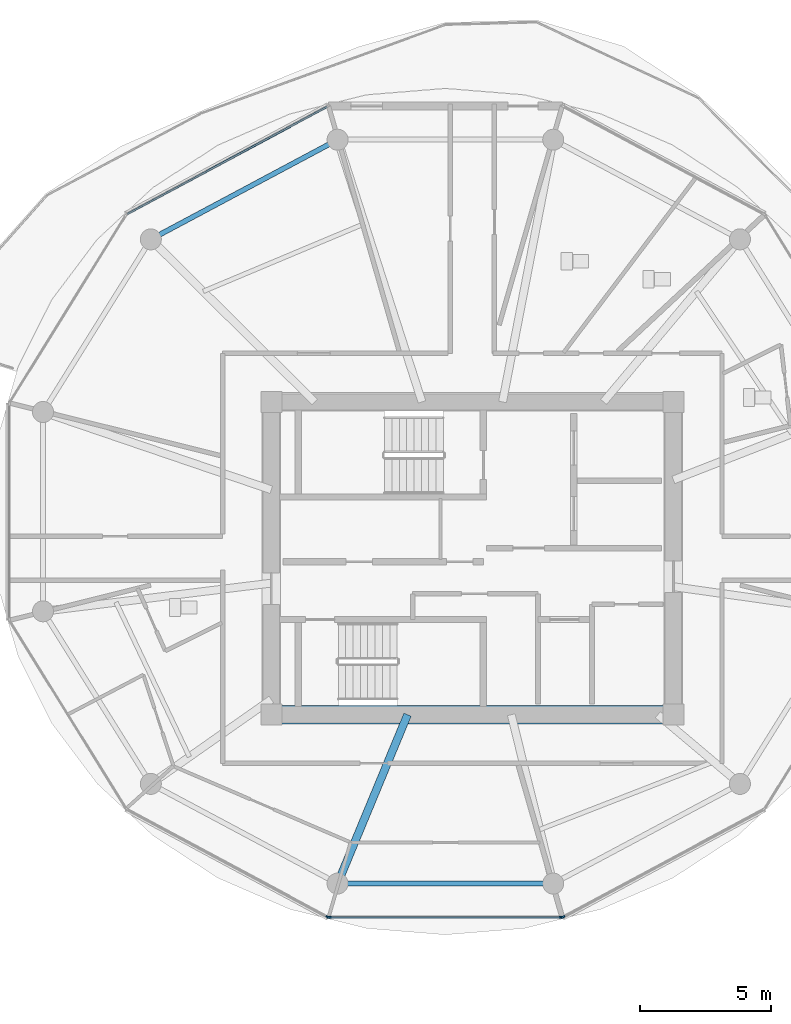
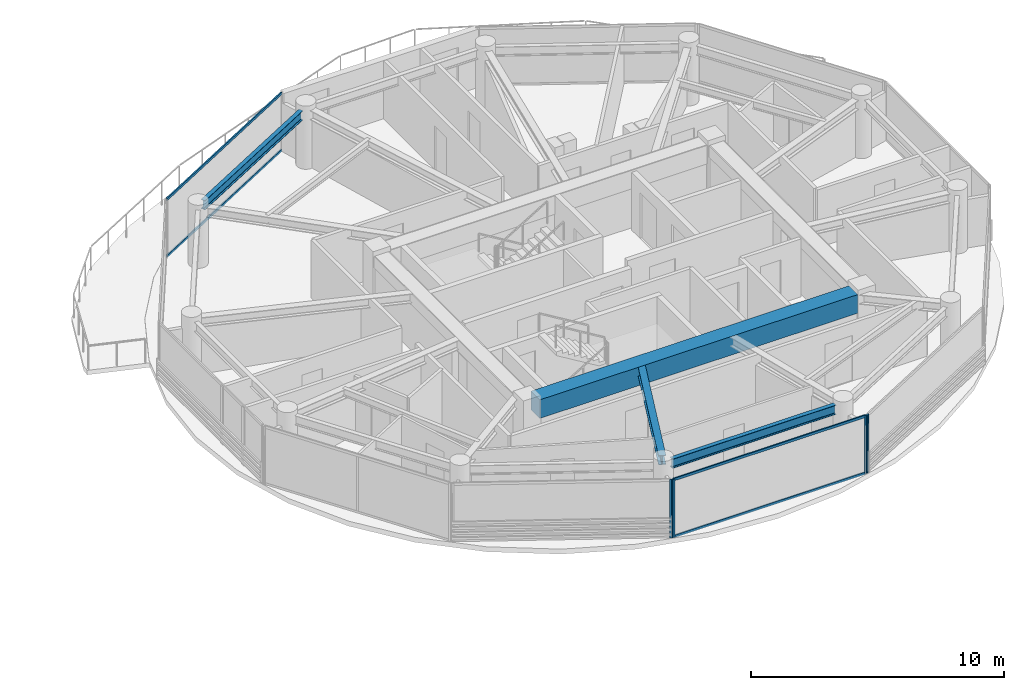
# One storey, part 8 of 23: 8 members, 4 beams, 4 elements without a shape of their own.
"""IFC4 building model written with IfcOpenShell, lengths in metres."""

import ifcopenshell
import ifcopenshell.guid

model = None  # the IFC model being written
_history = None  # IfcOwnerHistory: only IFC2X3 demands one
_inside = {}  # id of a spatial element -> (the spatial element, [elements in it])
_under = {}  # id of a project, library or spatial element -> (it, [spatial elements below it])
_declared = {}  # id of a project -> (the project, [libraries it declares])
_typed = {}  # id of a type object -> (the type object, [elements of that type])
_made_of = {}  # id of a material, layer set ... -> (it, [elements and type objects made of it])


def new_model(schema):
    """Start an empty IFC model of exactly this schema.

    Asked for "IFC4X3", IfcOpenShell would pick the latest addendum, in which some entities
    have other attributes; the version numbers below select the first issue.
    IFC2X3 requires an IfcOwnerHistory on every rooted entity: one is made here for all.
    """
    global model, _history
    if schema == "IFC4X3":
        model = ifcopenshell.file(schema_version=(4, 3, 0, 0))
    else:
        model = ifcopenshell.file(schema=schema)
    _inside.clear()
    _under.clear()
    _declared.clear()
    _typed.clear()
    _made_of.clear()
    _history = None
    if model.schema == "IFC2X3":
        org = make("IfcOrganization", Name="unknown")
        user = make(
            "IfcPersonAndOrganization",
            ThePerson=make("IfcPerson", FamilyName="unknown"),
            TheOrganization=org,
        )
        app = make(
            "IfcApplication",
            ApplicationDeveloper=org,
            Version="unknown",
            ApplicationFullName="unknown",
            ApplicationIdentifier="unknown",
        )
        _history = make(
            "IfcOwnerHistory",
            OwningUser=user,
            OwningApplication=app,
            ChangeAction="ADDED",
            CreationDate=0,
        )
    return model


def make(cls, **values):
    """One entity of the class cls with the attributes given. An attribute that is None is left unset."""
    return model.create_entity(
        cls, **{name: value for name, value in values.items() if value is not None}
    )


def rooted(cls, **values):
    """An entity with a GlobalId (a new one), such as an element, a storey or a relation."""
    return make(cls, GlobalId=ifcopenshell.guid.new(), OwnerHistory=_history, **values)


def si_unit(unit_type, name, prefix=None):
    """IfcSIUnit, for example si_unit("LENGTHUNIT", "METRE", prefix="MILLI")."""
    return make("IfcSIUnit", UnitType=unit_type, Prefix=prefix, Name=name)


def assignment(units):
    """IfcUnitAssignment: the units of a project."""
    return None if units is None else make("IfcUnitAssignment", Units=units)


def point(xyz):
    """IfcCartesianPoint."""
    return None if xyz is None else make("IfcCartesianPoint", Coordinates=xyz)


def direction(xyz):
    """IfcDirection."""
    return None if xyz is None else make("IfcDirection", DirectionRatios=xyz)


def frame(location, z_axis=None, x_axis=None):
    """IfcAxis2Placement3D, a coordinate frame: its origin and axes. An axis left out is left unset."""
    return make(
        "IfcAxis2Placement3D",
        Location=point(location),
        Axis=direction(z_axis),
        RefDirection=direction(x_axis),
    )


def frame_2d(location, x_axis=None):
    """IfcAxis2Placement2D, a coordinate frame in the plane: its origin and x axis."""
    return make(
        "IfcAxis2Placement2D", Location=point(location), RefDirection=direction(x_axis)
    )


def origin():
    """The frame at (0, 0, 0) with its axes left unset."""
    return frame((0.0, 0.0, 0.0))


def origin_2d():
    """The frame at (0, 0) in the plane with its x axis left unset."""
    return frame_2d((0.0, 0.0))


def place(relative_to, where):
    """IfcLocalPlacement: puts the frame where relative to a parent placement (None: the world)."""
    return make(
        "IfcLocalPlacement", PlacementRelTo=relative_to, RelativePlacement=where
    )


def context(
    kind, dimensions, precision=None, world=None, true_north=None, identifier=None
):
    """IfcGeometricRepresentationContext, for example the 3D "Model" context."""
    return make(
        "IfcGeometricRepresentationContext",
        ContextIdentifier=identifier,
        ContextType=kind,
        CoordinateSpaceDimension=dimensions,
        Precision=precision,
        WorldCoordinateSystem=world,
        TrueNorth=true_north,
    )


def subcontext(parent, identifier, kind, view, scale=None):
    """IfcGeometricRepresentationSubContext, for example "Body" below "Model"."""
    return make(
        "IfcGeometricRepresentationSubContext",
        ContextIdentifier=identifier,
        ContextType=kind,
        ParentContext=parent,
        TargetScale=scale,
        TargetView=view,
    )


def project(units=None, contexts=None):
    """IfcProject with its units and contexts."""
    return rooted(
        "IfcProject",
        Name="project",
        RepresentationContexts=contexts,
        UnitsInContext=assignment(units),
    )


def spatial(cls, under=None, at=None, **own):
    """A site, building, storey or space (cls), placed at a placement, below another one or the project."""
    s = rooted(cls, ObjectPlacement=at, **own)
    if under is not None:
        _under.setdefault(under.id(), (under, []))[1].append(s)
    return s


def profile(cls, at=None, kind="AREA", **sizes):
    """A parametric profile (cls). Its sizes go by their IFC names, for example OverallWidth=200.0."""
    return make(cls, ProfileType=kind, Position=at, **sizes)


def rectangle(**sizes):
    """IfcRectangleProfileDef."""
    return profile("IfcRectangleProfileDef", **sizes)


def i_section(**sizes):
    """IfcIShapeProfileDef."""
    return profile("IfcIShapeProfileDef", **sizes)


def extrude(swept, where, along, depth):
    """IfcExtrudedAreaSolid: the profile swept, set in the frame where, extruded along a direction by depth."""
    return make(
        "IfcExtrudedAreaSolid",
        SweptArea=swept,
        Position=where,
        ExtrudedDirection=direction(along),
        Depth=depth,
    )


def shape(context_of_items, identifier, shape_type, items):
    """IfcShapeRepresentation: the items that make up one representation, for example the "Body"."""
    return make(
        "IfcShapeRepresentation",
        ContextOfItems=context_of_items,
        RepresentationIdentifier=identifier,
        RepresentationType=shape_type,
        Items=items,
    )


def source(mapping_origin, context_of_items, identifier, shape_type, items):
    """IfcRepresentationMap: a shape defined once, which mapped items show again and again."""
    return make(
        "IfcRepresentationMap",
        MappingOrigin=mapping_origin,
        MappedRepresentation=shape(context_of_items, identifier, shape_type, items),
    )


def transform(
    local_origin,
    x_axis=None,
    y_axis=None,
    z_axis=None,
    scale=None,
    scale2=None,
    scale3=None,
    uniform=True,
):
    """IfcCartesianTransformationOperator3D, or its non-uniform kind. x_axis, y_axis, z_axis: its Axis1, 2, 3."""
    if uniform:
        return make(
            "IfcCartesianTransformationOperator3D",
            Axis1=direction(x_axis),
            Axis2=direction(y_axis),
            LocalOrigin=point(local_origin),
            Scale=scale,
            Axis3=direction(z_axis),
        )
    return make(
        "IfcCartesianTransformationOperator3DnonUniform",
        Axis1=direction(x_axis),
        Axis2=direction(y_axis),
        LocalOrigin=point(local_origin),
        Scale=scale,
        Axis3=direction(z_axis),
        Scale2=scale2,
        Scale3=scale3,
    )


def mapped(mapping_source, mapping_target):
    """IfcMappedItem: shows the shape of a source again, moved by a transform."""
    return make(
        "IfcMappedItem", MappingSource=mapping_source, MappingTarget=mapping_target
    )


def material(Name=None, Category=None):
    """IfcMaterial."""
    return make("IfcMaterial", Name=Name, Category=Category)


def layer(
    of_material, thickness, ventilated=None, Name=None, Category=None, Priority=None
):
    """IfcMaterialLayer: one layer of a wall or slab, of a material (None: an air gap)."""
    return make(
        "IfcMaterialLayer",
        Material=of_material,
        LayerThickness=thickness,
        IsVentilated=ventilated,
        Name=Name,
        Category=Category,
        Priority=Priority,
    )


def layer_set(layers, Name=None):
    """IfcMaterialLayerSet."""
    return make("IfcMaterialLayerSet", MaterialLayers=layers, LayerSetName=Name)


def material_profile(
    of_material, cross_section, Name=None, Category=None, Priority=None
):
    """IfcMaterialProfile: a cross section and its material."""
    return make(
        "IfcMaterialProfile",
        Name=Name,
        Material=of_material,
        Profile=cross_section,
        Priority=Priority,
        Category=Category,
    )


def profile_set(profiles, Name=None, composite=None):
    """IfcMaterialProfileSet."""
    return make(
        "IfcMaterialProfileSet",
        Name=Name,
        MaterialProfiles=profiles,
        CompositeProfile=composite,
    )


def made_of(thing, what):
    """Note that an element or type object is made of a material, layer set ...; save() writes the relation."""
    if what is not None:
        _made_of.setdefault(what.id(), (what, []))[1].append(thing)
    return thing


def type_object(cls, material=None, **own):
    """A type object (cls), such as IfcWallType, which elements share."""
    return made_of(rooted(cls, **own), material)


def type_shapes(of_type, sources):
    """Give a type object the sources (RepresentationMaps) that its elements show as mapped items."""
    of_type.RepresentationMaps = sources


def element(
    cls,
    number,
    at=None,
    inside=None,
    cuts=None,
    type_object=None,
    material=None,
    context=None,
    identifier="Body",
    shape_type=None,
    held_by="IfcProductDefinitionShape",
    body=None,
    shapes=None,
    **own,
):
    """One element of the class cls, such as IfcWall. Its Tag is "e" and its number.

    at: its placement. inside: the storey or other place that contains it. cuts: it is an
    opening in that element (IfcRelVoidsElement). A single representation is given by context,
    identifier, shape_type and body (its items); several are given by shapes. held_by: the class
    of the entity that holds the representations. save() writes the other relations.
    """
    e = rooted(cls, Tag="e%d" % number, ObjectPlacement=at, **own)
    if body is not None:
        shapes = [shape(context, identifier, shape_type, body)]
    if shapes is not None:
        e.Representation = make(held_by, Representations=shapes)
    if inside is not None:
        _inside.setdefault(inside.id(), (inside, []))[1].append(e)
    if cuts is not None:
        rooted(
            "IfcRelVoidsElement", RelatingBuildingElement=cuts, RelatedOpeningElement=e
        )
    if type_object is not None:
        _typed.setdefault(type_object.id(), (type_object, []))[1].append(e)
    return made_of(e, material)


def aggregate(whole, parts):
    """IfcRelAggregates: a whole, such as a stair, and the parts it consists of."""
    return rooted("IfcRelAggregates", RelatingObject=whole, RelatedObjects=parts)


def save(model, path):
    """Write the relations noted so far, then the file.

    IfcRelAggregates (storeys below a building ...), IfcRelContainedInSpatialStructure (elements
    in a storey), IfcRelDefinesByType, IfcRelAssociatesMaterial and IfcRelDeclares: one each for
    every whole, place, type object, material and project.
    """
    for whole, parts in _under.values():
        aggregate(whole, parts)
    for where, things in _inside.values():
        rooted(
            "IfcRelContainedInSpatialStructure",
            RelatedElements=things,
            RelatingStructure=where,
        )
    for kind, things in _typed.values():
        rooted("IfcRelDefinesByType", RelatedObjects=things, RelatingType=kind)
    for what, things in _made_of.values():
        rooted("IfcRelAssociatesMaterial", RelatedObjects=things, RelatingMaterial=what)
    for by, libraries in _declared.values():
        rooted("IfcRelDeclares", RelatingContext=by, RelatedDefinitions=libraries)
    model.write(path)


model = new_model("IFC4")

# Units and contexts
model_context = context("Model", 3, precision=1e-05, world=origin(), true_north=direction((0.0, 1.0)))
body_context = subcontext(model_context, "Body", "Model", "MODEL_VIEW")
ifc_project = project(units=[si_unit("LENGTHUNIT", "METRE"), si_unit("AREAUNIT", "SQUARE_METRE"), si_unit("VOLUMEUNIT", "CUBIC_METRE"), si_unit("PLANEANGLEUNIT", "RADIAN"), si_unit("MASSUNIT", "GRAM", prefix="KILO")], contexts=[model_context])

# Site, building, storey
site_placement = place(None, origin())
site = spatial("IfcSite", under=ifc_project, at=site_placement, CompositionType="ELEMENT")
building_placement = place(site_placement, origin())
building = spatial("IfcBuilding", under=site, at=building_placement, Name="Norrkilde Senior Care Towers", CompositionType="ELEMENT")
storey_placement = place(building_placement, frame((0.0, 0.0, 177.0)))
storey = spatial("IfcBuildingStorey", under=building, at=storey_placement, Name="L55", CompositionType="ELEMENT", Elevation=177.0)

# Beams
ifc_material_1 = material(Name="Concrete C60/75", Category="concrete")
ifc_material_profile_1 = material_profile(ifc_material_1, rectangle(XDim=0.699951171875, YDim=0.89990234375, at=origin_2d()), Name="RC BM 700x900")
ifc_profile_set_1 = profile_set([ifc_material_profile_1], Name="Concrete C60/75")
beam_type_1 = type_object("IfcBeamType", Name="Core Coupling Girder 700x900", PredefinedType="USERDEFINED", material=ifc_profile_set_1)
shared_shape_1 = source(origin(), body_context, "Body", "SweptSolid", [
    extrude(rectangle(XDim=0.699951171875, YDim=0.89990234375, at=origin_2d()), origin(), (0.0, 0.0, 1.0), 14.5400390625),
])
type_shapes(beam_type_1, [shared_shape_1])
beam_1_placement = place(storey_placement, frame((20.72998046875, -5.949951171875, 2.360107421875), z_axis=(1.0, 0.0, 0.0), x_axis=(0.0, 1.0, 0.0)))
element("IfcBeam", 1, at=beam_1_placement, inside=storey, type_object=beam_type_1, Name="L55 Core E S Coupling Girder", ObjectType="GIRDER", PredefinedType="USERDEFINED", context=body_context, shape_type="MappedRepresentation", body=[
    mapped(shared_shape_1, transform((0.0, 0.0, 0.0), x_axis=(1.0, 0.0, 0.0), y_axis=(0.0, 1.0, 0.0), z_axis=(0.0, 0.0, 1.0), scale=1.0)),
])
ifc_material_2 = material(Name="Steel S355", Category="steel")
ifc_material_profile_2 = material_profile(ifc_material_2, i_section(OverallWidth=0.18994140625, OverallDepth=0.449951171875, WebThickness=0.009521484375, FlangeThickness=0.0146484375, FilletRadius=0.02099609375, at=origin_2d()), Name="IPE 450")
ifc_profile_set_2 = profile_set([ifc_material_profile_2], Name="Steel S355")
beam_type_2 = type_object("IfcBeamType", Name="Perimeter Ring Spandrel Z3 IPE450", PredefinedType="SPANDREL", material=ifc_profile_set_2)
shared_shape_2 = source(origin(), body_context, "Body", "SweptSolid", [
    extrude(i_section(OverallWidth=0.18994140625, OverallDepth=0.449951171875, WebThickness=0.009521484375, FlangeThickness=0.0146484375, FilletRadius=0.02099609375, at=origin_2d()), origin(), (0.0, 0.0, 1.0), 7.333740234375),
])
beam_2_placement = place(storey_placement, frame((22.55517578125, 15.756591796875, 2.5849609375), z_axis=(-0.882247866069, -0.470785198172, 0.0), x_axis=(0.470785198172, -0.882247866069, 0.0)))
element("IfcBeam", 2, at=beam_2_placement, inside=storey, type_object=beam_type_2, Name="L55 Drum E Perimeter Spandrel 04", PredefinedType="SPANDREL", context=body_context, shape_type="MappedRepresentation", body=[
    mapped(shared_shape_2, transform((0.0, 0.0, 0.0), x_axis=(1.0, 0.0, 0.0), y_axis=(0.0, 1.0, 0.0), z_axis=(0.0, 0.0, 1.0), scale=1.0)),
])
shared_shape_3 = source(origin(), body_context, "Body", "SweptSolid", [
    extrude(i_section(OverallWidth=0.18994140625, OverallDepth=0.449951171875, WebThickness=0.009521484375, FlangeThickness=0.0146484375, FilletRadius=0.02099609375, at=origin_2d()), origin(), (0.0, 0.0, 1.0), 7.484619140625),
])
type_shapes(beam_type_2, [shared_shape_2, shared_shape_3])
beam_3_placement = place(storey_placement, frame((23.232666015625, -12.37548828125, 2.5849609375), z_axis=(1.0, 0.0, 0.0), x_axis=(0.0, 1.0, 0.0)))
element("IfcBeam", 3, at=beam_3_placement, inside=storey, type_object=beam_type_2, Name="L55 Drum E Perimeter Spandrel 09", PredefinedType="SPANDREL", context=body_context, shape_type="MappedRepresentation", body=[
    mapped(shared_shape_3, transform((0.0, 0.0, 0.0), x_axis=(1.0, 0.0, 0.0), y_axis=(0.0, 1.0, 0.0), z_axis=(0.0, 0.0, 1.0), scale=1.0)),
])
ifc_material_profile_3 = material_profile(ifc_material_2, i_section(OverallWidth=0.300048828125, OverallDepth=0.449951171875, WebThickness=0.013916015625, FlangeThickness=0.02587890625, FilletRadius=0.027099609375, at=origin_2d()), Name="HEB 450")
ifc_profile_set_3 = profile_set([ifc_material_profile_3], Name="Steel S355")
beam_type_3 = type_object("IfcBeamType", Name="Radial Floor Beam Z3 HEB450", PredefinedType="BEAM", material=ifc_profile_set_3)
shared_shape_4 = source(origin(), body_context, "Body", "SweptSolid", [
    extrude(i_section(OverallWidth=0.300048828125, OverallDepth=0.449951171875, WebThickness=0.013916015625, FlangeThickness=0.02587890625, FilletRadius=0.027099609375, at=origin_2d()), origin(), (0.0, 0.0, 1.0), 6.59521484375),
])
type_shapes(beam_type_3, [shared_shape_4])
beam_4_placement = place(storey_placement, frame((25.534912109375, -5.949951171875, 2.5849609375), z_axis=(-0.382761541363, -0.923847174836, 0.0), x_axis=(0.923847174836, -0.382761541363, 0.0)))
element("IfcBeam", 4, at=beam_4_placement, inside=storey, type_object=beam_type_3, Name="L55 Drum E Radial Floor Beam 09", PredefinedType="BEAM", context=body_context, shape_type="MappedRepresentation", body=[
    mapped(shared_shape_4, transform((0.0, 0.0, 0.0), x_axis=(1.0, 0.0, 0.0), y_axis=(0.0, 1.0, 0.0), z_axis=(0.0, 0.0, 1.0), scale=1.0)),
])

# Curtain wall, member
ifc_material_3 = material(Name="Triple Low-E Insulated Glazing", Category="glass")
ifc_layer = layer(ifc_material_3, 0.18994140625)
ifc_layer_set = layer_set([ifc_layer], Name="Triple Low-E Insulated Glazing")
curtain_wall_type = type_object("IfcCurtainWallType", Name="CW4 Zone 3 Senior Residence Curtain Wall", PredefinedType="NOTDEFINED", material=ifc_layer_set)
curtain_wall_1_placement = place(storey_placement, origin())
curtain_wall_1 = element("IfcCurtainWall", 5, at=curtain_wall_1_placement, inside=storey, type_object=curtain_wall_type, Name="L55 Drum E Curtain Wall 07", PredefinedType="NOTDEFINED")
ifc_material_4 = material(Name="Anodised Aluminium", Category="aluminium")
ifc_material_profile_4 = material_profile(ifc_material_4, rectangle(XDim=0.06494140625, YDim=0.14990234375, at=origin_2d()), Name="ALU MULL 65x150")
ifc_profile_set_4 = profile_set([ifc_material_profile_4], Name="Anodised Aluminium")
member_type_1 = type_object("IfcMemberType", Name="Curtain Wall Mullion Z3-Z4 65x150", PredefinedType="MULLION", material=ifc_profile_set_4)
shared_shape_5 = source(origin(), body_context, "Body", "SweptSolid", [
    extrude(rectangle(XDim=0.06494140625, YDim=0.14990234375, at=origin_2d()), origin(), (0.0, 0.0, 1.0), 2.81005859375),
])
type_shapes(member_type_1, [shared_shape_5])
member_1_placement = place(storey_placement, frame((22.499755859375, -13.644775390625, 0.0), z_axis=(0.0, 0.0, 1.0), x_axis=(-0.47311715104, -0.880999524059, 0.0)))
member_1 = element("IfcMember", 6, at=member_1_placement, type_object=member_type_1, Name="CW-4 mullion 1", PredefinedType="MULLION", context=body_context, shape_type="MappedRepresentation", body=[
    mapped(shared_shape_5, transform((0.0, 0.0, 0.0), x_axis=(1.0, 0.0, 0.0), y_axis=(0.0, 1.0, 0.0), z_axis=(0.0, 0.0, 1.0), scale=1.0)),
])
aggregate(curtain_wall_1, [member_1])

# Curtain wall, members
curtain_wall_2_placement = place(storey_placement, origin())
curtain_wall_2 = element("IfcCurtainWall", 7, at=curtain_wall_2_placement, inside=storey, type_object=curtain_wall_type, Name="L55 Drum E Curtain Wall 08", PredefinedType="NOTDEFINED")
member_2_placement = place(storey_placement, frame((31.388916015625, -13.66015625, 0.0), z_axis=(0.0, 0.0, 1.0), x_axis=(0.0, -1.0, 0.0)))
member_2 = element("IfcMember", 8, at=member_2_placement, type_object=member_type_1, Name="CW-4 mullion 1", PredefinedType="MULLION", context=body_context, shape_type="MappedRepresentation", body=[
    mapped(shared_shape_5, transform((0.0, 0.0, 0.0), x_axis=(1.0, 0.0, 0.0), y_axis=(0.0, 1.0, 0.0), z_axis=(0.0, 0.0, 1.0), scale=1.0)),
])
member_3_placement = place(storey_placement, frame((22.56103515625, -13.66015625, 0.0), z_axis=(0.0, 0.0, 1.0), x_axis=(0.0, -1.0, 0.0)))
member_3 = element("IfcMember", 9, at=member_3_placement, type_object=member_type_1, Name="CW-4 mullion 2", PredefinedType="MULLION", context=body_context, shape_type="MappedRepresentation", body=[
    mapped(shared_shape_5, transform((0.0, 0.0, 0.0), x_axis=(1.0, 0.0, 0.0), y_axis=(0.0, 1.0, 0.0), z_axis=(0.0, 0.0, 1.0), scale=1.0)),
])

# Curtain wall, member
curtain_wall_3_placement = place(storey_placement, origin())
curtain_wall_3 = element("IfcCurtainWall", 10, at=curtain_wall_3_placement, inside=storey, type_object=curtain_wall_type, Name="L55 Drum E Curtain Wall 09", PredefinedType="NOTDEFINED")
member_4_placement = place(storey_placement, frame((31.4501953125, -13.644775390625, 0.0), z_axis=(0.0, 0.0, 1.0), x_axis=(0.47311715104, -0.880999524059, 0.0)))
member_4 = element("IfcMember", 11, at=member_4_placement, type_object=member_type_1, Name="CW-4 mullion 2", PredefinedType="MULLION", context=body_context, shape_type="MappedRepresentation", body=[
    mapped(shared_shape_5, transform((0.0, 0.0, 0.0), x_axis=(1.0, 0.0, 0.0), y_axis=(0.0, 1.0, 0.0), z_axis=(0.0, 0.0, 1.0), scale=1.0)),
])
aggregate(curtain_wall_3, [member_4])

# Curtain wall, members
curtain_wall_4_placement = place(storey_placement, origin())
curtain_wall_4 = element("IfcCurtainWall", 12, at=curtain_wall_4_placement, inside=storey, type_object=curtain_wall_type, Name="L55 Drum E Curtain Wall 03", PredefinedType="NOTDEFINED")
ifc_material_profile_5 = material_profile(ifc_material_4, rectangle(XDim=0.06005859375, YDim=0.1201171875, at=origin_2d()), Name="ALU TRAN 60x120")
ifc_profile_set_5 = profile_set([ifc_material_profile_5], Name="Anodised Aluminium")
member_type_2 = type_object("IfcMemberType", Name="Curtain Wall Transom Typical 60x120", PredefinedType="USERDEFINED", material=ifc_profile_set_5)
shared_shape_6 = source(origin(), body_context, "Body", "SweptSolid", [
    extrude(rectangle(XDim=0.06005859375, YDim=0.1201171875, at=origin_2d()), origin(), (0.0, 0.0, 1.0), 8.61181640625),
])
member_5_placement = place(storey_placement, frame((14.88427734375, 13.105712890625, 0.030029296875), z_axis=(0.880993991641, 0.473127452906, 0.0), x_axis=(-0.473127452906, 0.880993991641, 0.0)))
member_5 = element("IfcMember", 13, at=member_5_placement, type_object=member_type_2, Name="CW-4 transom 1.1", ObjectType="TRANSOM", PredefinedType="USERDEFINED", context=body_context, shape_type="MappedRepresentation", body=[
    mapped(shared_shape_6, transform((0.0, 0.0, 0.0), x_axis=(1.0, 0.0, 0.0), y_axis=(0.0, 1.0, 0.0), z_axis=(0.0, 0.0, 1.0), scale=1.0)),
])
member_6_placement = place(storey_placement, frame((14.88427734375, 13.105712890625, 2.780029296875), z_axis=(0.880993991641, 0.473127452906, 0.0), x_axis=(-0.473127452906, 0.880993991641, 0.0)))
member_6 = element("IfcMember", 14, at=member_6_placement, type_object=member_type_2, Name="CW-4 transom 1.2", ObjectType="TRANSOM", PredefinedType="USERDEFINED", context=body_context, shape_type="MappedRepresentation", body=[
    mapped(shared_shape_6, transform((0.0, 0.0, 0.0), x_axis=(1.0, 0.0, 0.0), y_axis=(0.0, 1.0, 0.0), z_axis=(0.0, 0.0, 1.0), scale=1.0)),
])
aggregate(curtain_wall_4, [member_5, member_6])

# Member
shared_shape_7 = source(origin(), body_context, "Body", "SweptSolid", [
    extrude(rectangle(XDim=0.06005859375, YDim=0.1201171875, at=origin_2d()), origin(), (0.0, 0.0, 1.0), 8.762939453125),
])
type_shapes(member_type_2, [shared_shape_6, shared_shape_7])
member_7_placement = place(storey_placement, frame((31.3564453125, -13.66015625, 0.030029296875), z_axis=(-1.0, 0.0, 0.0), x_axis=(0.0, -1.0, 0.0)))
member_7 = element("IfcMember", 15, at=member_7_placement, type_object=member_type_2, Name="CW-4 transom 1.1", ObjectType="TRANSOM", PredefinedType="USERDEFINED", context=body_context, shape_type="MappedRepresentation", body=[
    mapped(shared_shape_7, transform((0.0, 0.0, 0.0), x_axis=(1.0, 0.0, 0.0), y_axis=(0.0, 1.0, 0.0), z_axis=(0.0, 0.0, 1.0), scale=1.0)),
])

member_8_placement = place(storey_placement, frame((31.3564453125, -13.66015625, 2.780029296875), z_axis=(-1.0, 0.0, 0.0), x_axis=(0.0, -1.0, 0.0)))
member_8 = element("IfcMember", 16, at=member_8_placement, type_object=member_type_2, Name="CW-4 transom 1.2", ObjectType="TRANSOM", PredefinedType="USERDEFINED", context=body_context, shape_type="MappedRepresentation", body=[
    mapped(shared_shape_7, transform((0.0, 0.0, 0.0), x_axis=(1.0, 0.0, 0.0), y_axis=(0.0, 1.0, 0.0), z_axis=(0.0, 0.0, 1.0), scale=1.0)),
])

aggregate(curtain_wall_2, [member_2, member_3, member_7, member_8])

save(model, "model.ifc")
